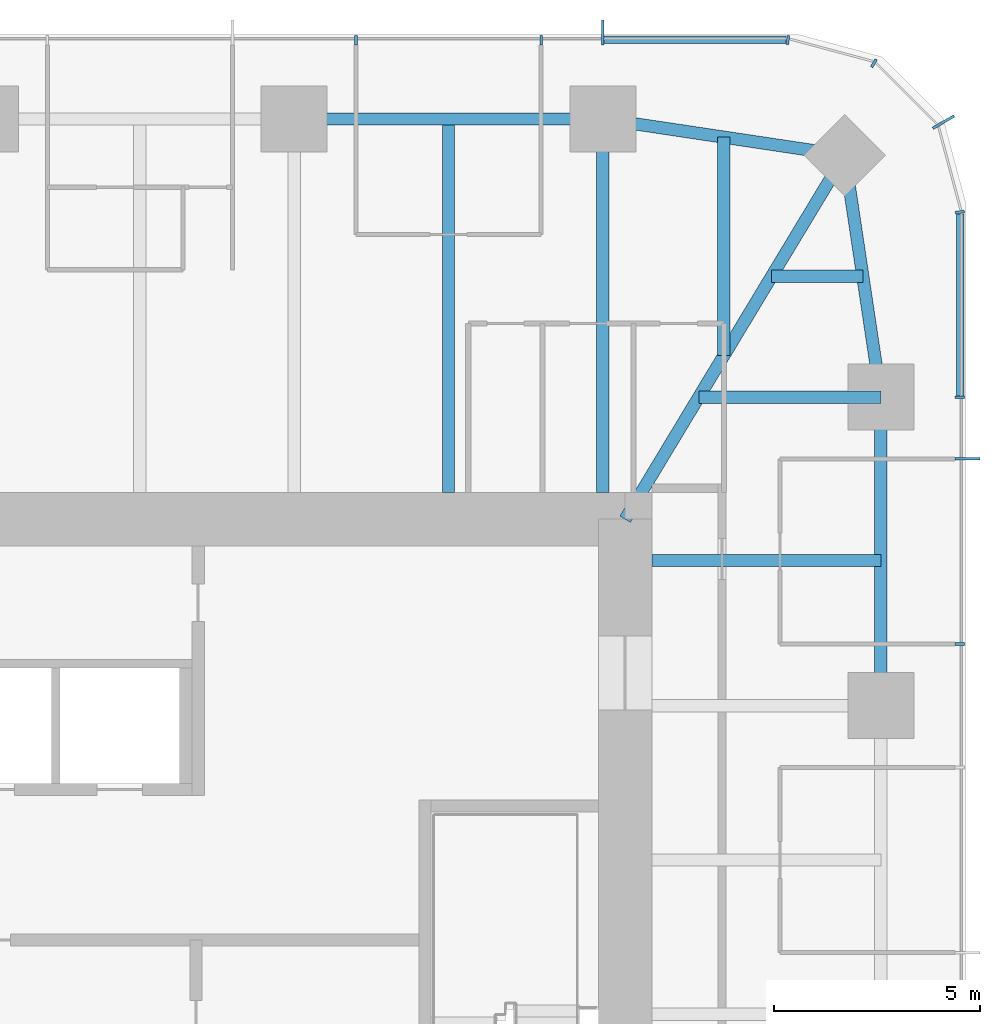
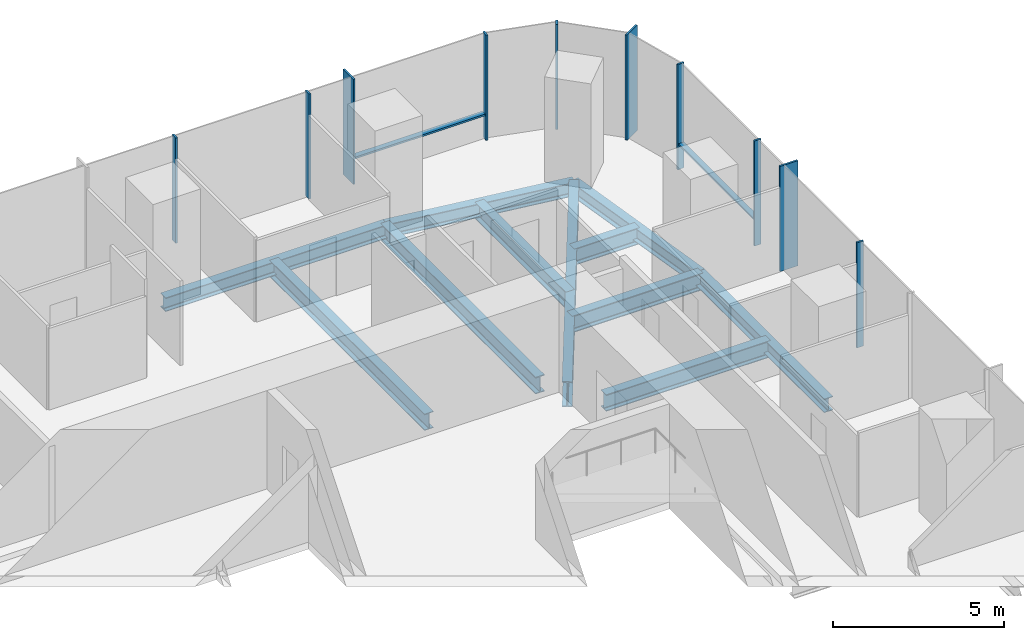
# One storey, part 6 of 12: 12 members, 11 beams, 3 elements without a shape of their own.
"""IFC4 building model written with IfcOpenShell, lengths in metres."""

from ifc_helpers import new_model, si_unit, direction, frame, origin, origin_2d, place, context, subcontext, project, spatial, rectangle, i_section, extrude, material, material_profile, profile_set, type_object, element, aggregate, save


model = new_model("IFC4")

# Units and contexts
model_context = context("Model", 3, precision=1e-05, world=origin(), true_north=direction((0.0, 1.0)))
body_context = subcontext(model_context, "Body", "Model", "MODEL_VIEW")
ifc_project = project(units=[si_unit("LENGTHUNIT", "METRE"), si_unit("AREAUNIT", "SQUARE_METRE"), si_unit("VOLUMEUNIT", "CUBIC_METRE"), si_unit("PLANEANGLEUNIT", "RADIAN"), si_unit("MASSUNIT", "GRAM", prefix="KILO")], contexts=[model_context])

# Site, building, storey
site_placement = place(None, origin())
site = spatial("IfcSite", under=ifc_project, at=site_placement, CompositionType="ELEMENT")
building_placement = place(site_placement, origin())
building = spatial("IfcBuilding", under=site, at=building_placement, Name="Khuree Lantern Residences", CompositionType="ELEMENT")
storey_placement = place(building_placement, frame((0.0, 0.0, 300.75)))
storey = spatial("IfcBuildingStorey", under=building, at=storey_placement, Name="L75", CompositionType="ELEMENT", Elevation=300.75)

# Beams
ifc_material_1 = material(Name="Steel S355", Category="steel")
ifc_material_profile_1 = material_profile(ifc_material_1, i_section(OverallWidth=0.300048828125, OverallDepth=0.590087890625, WebThickness=0.012939453125, FlangeThickness=0.02490234375, FilletRadius=0.027099609375, at=origin_2d()), Name="HE 600 A")
ifc_profile_set_1 = profile_set([ifc_material_profile_1], Name="Steel S355")
beam_type_1 = type_object("IfcBeamType", Name="B-42 SECONDARY BEAM HE 600 A", PredefinedType="BEAM", material=ifc_profile_set_1)
beam_1_placement = place(storey_placement, frame((11.219970703125, 21.699951171875, -0.544921875), z_axis=(0.0, -1.0, 0.0), x_axis=(1.0, 0.0, 0.0)))
element("IfcBeam", 1, at=beam_1_placement, inside=storey, type_object=beam_type_1, Name="Secondary beam N4", PredefinedType="BEAM", context=body_context, shape_type="SweptSolid", body=[
    extrude(i_section(OverallWidth=0.300048828125, OverallDepth=0.590087890625, WebThickness=0.012939453125, FlangeThickness=0.02490234375, FilletRadius=0.027099609375, at=origin_2d()), origin(), (0.0, 0.0, 1.0), 9.050048828125),
])
beam_2_placement = place(storey_placement, frame((17.890625, 21.2607421875, -0.544921875), z_axis=(0.0, -1.0, 0.0), x_axis=(1.0, 0.0, 0.0)))
element("IfcBeam", 2, at=beam_2_placement, inside=storey, type_object=beam_type_1, Name="Secondary beam N5", PredefinedType="BEAM", context=body_context, shape_type="SweptSolid", body=[
    extrude(i_section(OverallWidth=0.300048828125, OverallDepth=0.590087890625, WebThickness=0.012939453125, FlangeThickness=0.02490234375, FilletRadius=0.027099609375, at=origin_2d()), origin(), (0.0, 0.0, 1.0), 5.297607421875),
])
beam_3_placement = place(storey_placement, frame((21.2607421875, 17.890625, -0.544921875), z_axis=(-1.0, 0.0, 0.0), x_axis=(0.0, -1.0, 0.0)))
element("IfcBeam", 3, at=beam_3_placement, inside=storey, type_object=beam_type_1, Name="Secondary beam E1", PredefinedType="BEAM", context=body_context, shape_type="SweptSolid", body=[
    extrude(i_section(OverallWidth=0.300048828125, OverallDepth=0.590087890625, WebThickness=0.012939453125, FlangeThickness=0.02490234375, FilletRadius=0.027099609375, at=origin_2d()), origin(), (0.0, 0.0, 1.0), 2.207275390625),
])
beam_4_placement = place(storey_placement, frame((21.699951171875, 11.0, -0.544921875), z_axis=(-1.0, 0.0, 0.0), x_axis=(0.0, -1.0, 0.0)))
element("IfcBeam", 4, at=beam_4_placement, inside=storey, type_object=beam_type_1, Name="Secondary beam E2", PredefinedType="BEAM", context=body_context, shape_type="SweptSolid", body=[
    extrude(i_section(OverallWidth=0.300048828125, OverallDepth=0.590087890625, WebThickness=0.012939453125, FlangeThickness=0.02490234375, FilletRadius=0.027099609375, at=origin_2d()), origin(), (0.0, 0.0, 1.0), 5.550048828125),
])
ifc_material_profile_2 = material_profile(ifc_material_1, i_section(OverallWidth=0.300048828125, OverallDepth=0.489990234375, WebThickness=0.011962890625, FlangeThickness=0.02294921875, FilletRadius=0.027099609375, at=origin_2d()), Name="HE 500 A")
ifc_profile_set_2 = profile_set([ifc_material_profile_2], Name="Steel S355")
beam_type_2 = type_object("IfcBeamType", Name="E-42 SPANDREL BEAM HE 500 A", PredefinedType="SPANDREL", material=ifc_profile_set_2)
beam_5_placement = place(storey_placement, frame((7.47998046875, 21.699951171875, -0.4951171875), z_axis=(1.0, 0.0, 0.0), x_axis=(0.0, 1.0, 0.0)))
element("IfcBeam", 5, at=beam_5_placement, inside=storey, type_object=beam_type_2, Name="Spandrel beam N4", PredefinedType="SPANDREL", context=body_context, shape_type="SweptSolid", body=[
    extrude(i_section(OverallWidth=0.300048828125, OverallDepth=0.489990234375, WebThickness=0.011962890625, FlangeThickness=0.02294921875, FilletRadius=0.027099609375, at=origin_2d()), origin(), (0.0, 0.0, 1.0), 7.47998046875),
])
for number, where, z_axis, x_axis, name in (
    (6, (14.9599609375, 21.699951171875, -0.4951171875), (0.988949643299, -0.148251822985, 0.0), (0.148251822985, 0.988949643299, 0.0), "Spandrel beam N5"),
    (7, (20.8212890625, 20.8212890625, -0.4951171875), (0.148251822985, -0.988949643299, 0.0), (0.988949643299, 0.148251822985, 0.0), "Spandrel beam E1"),
):
    element("IfcBeam", number, at=place(storey_placement, frame(where, z_axis=z_axis, x_axis=x_axis)), inside=storey, type_object=beam_type_2, Name=name, PredefinedType="SPANDREL", context=body_context, shape_type="SweptSolid", body=[
        extrude(i_section(OverallWidth=0.300048828125, OverallDepth=0.489990234375, WebThickness=0.011962890625, FlangeThickness=0.02294921875, FilletRadius=0.027099609375, at=origin_2d()), origin(), (0.0, 0.0, 1.0), 5.9267578125),
    ])
beam_6_placement = place(storey_placement, frame((21.699951171875, 14.9599609375, -0.4951171875), z_axis=(0.0, -1.0, 0.0), x_axis=(1.0, 0.0, 0.0)))
element("IfcBeam", 8, at=beam_6_placement, inside=storey, type_object=beam_type_2, Name="Spandrel beam E2", PredefinedType="SPANDREL", context=body_context, shape_type="SweptSolid", body=[
    extrude(i_section(OverallWidth=0.300048828125, OverallDepth=0.489990234375, WebThickness=0.011962890625, FlangeThickness=0.02294921875, FilletRadius=0.027099609375, at=origin_2d()), origin(), (0.0, 0.0, 1.0), 7.47998046875),
])

# Curtain wall, member
ifc_material_2 = material(Name="Bronze anodised aluminium", Category="aluminium")
curtain_wall_type_1 = type_object("IfcCurtainWallType", Name="CW-T1 TOWER FACE CURTAIN WALL", PredefinedType="USERDEFINED", material=ifc_material_2)
curtain_wall_1_placement = place(storey_placement, origin())
curtain_wall_1 = element("IfcCurtainWall", 9, at=curtain_wall_1_placement, inside=storey, type_object=curtain_wall_type_1, Name="L75 EAST FACE CURTAIN WALL", ObjectType="Stick-built curtain wall", PredefinedType="USERDEFINED")
ifc_material_profile_3 = material_profile(ifc_material_2, rectangle(XDim=0.06494140625, YDim=0.60009765625, at=origin_2d()), Name="F1 65X600")
ifc_profile_set_3 = profile_set([ifc_material_profile_3], Name="Bronze anodised aluminium")
member_type_1 = type_object("IfcMemberType", Name="F1 BRONZE FIN MULLION TOWER 65X600", PredefinedType="MULLION", material=ifc_profile_set_3)
member_1_placement = place(storey_placement, frame((23.800048828125, 13.464111328125, 0.0), z_axis=(0.0, 0.0, 1.0), x_axis=(0.0, 1.0, 0.0)))
member_1 = element("IfcMember", 10, at=member_1_placement, type_object=member_type_1, Name="L75 EAST FACE FIN MULLION 13", PredefinedType="MULLION", context=body_context, shape_type="SweptSolid", body=[
    extrude(rectangle(XDim=0.06494140625, YDim=0.60009765625, at=origin_2d()), origin(), (0.0, 0.0, 1.0), 3.75),
])

curtain_wall_type_2 = type_object("IfcCurtainWallType", Name="CW-T2 TOWER CORNER CURTAIN WALL", PredefinedType="USERDEFINED", material=ifc_material_2)
curtain_wall_2_placement = place(storey_placement, origin())
curtain_wall_2 = element("IfcCurtainWall", 11, at=curtain_wall_2_placement, inside=storey, type_object=curtain_wall_type_2, Name="L75 NORTH-EAST CORNER CURTAIN WALL", ObjectType="Faceted corner curtain wall", PredefinedType="USERDEFINED")
member_2_placement = place(storey_placement, frame((23.21728515625, 21.625, 0.0), z_axis=(0.0, 0.0, 1.0), x_axis=(-0.49999994149, 0.866025437565, 0.0)))
member_2 = element("IfcMember", 12, at=member_2_placement, type_object=member_type_1, Name="L75 NORTH-EAST CORNER FIN MULLION 16", PredefinedType="MULLION", context=body_context, shape_type="SweptSolid", body=[
    extrude(rectangle(XDim=0.06494140625, YDim=0.60009765625, at=origin_2d()), origin(), (0.0, 0.0, 1.0), 3.75),
])

curtain_wall_3_placement = place(storey_placement, origin())
curtain_wall_3 = element("IfcCurtainWall", 13, at=curtain_wall_3_placement, inside=storey, type_object=curtain_wall_type_1, Name="L75 NORTH FACE CURTAIN WALL", ObjectType="Stick-built curtain wall", PredefinedType="USERDEFINED")
member_3_placement = place(storey_placement, frame((14.9599609375, 23.800048828125, 0.0), z_axis=(0.0, 0.0, 1.0), x_axis=(-1.0, 0.0, 0.0)))
member_3 = element("IfcMember", 14, at=member_3_placement, type_object=member_type_1, Name="L75 NORTH FACE FIN MULLION 19", PredefinedType="MULLION", context=body_context, shape_type="SweptSolid", body=[
    extrude(rectangle(XDim=0.06494140625, YDim=0.60009765625, at=origin_2d()), origin(), (0.0, 0.0, 1.0), 3.75),
])

# Beams
ifc_material_profile_4 = material_profile(ifc_material_1, i_section(OverallWidth=0.300048828125, OverallDepth=0.60009765625, WebThickness=0.015380859375, FlangeThickness=0.030029296875, FilletRadius=0.027099609375, at=origin_2d()), Name="HE 600 B")
ifc_profile_set_4 = profile_set([ifc_material_profile_4], Name="Steel S355")
beam_type_3 = type_object("IfcBeamType", Name="G-42 GIRDER HE 600 B", PredefinedType="BEAM", material=ifc_profile_set_4)
beam_7_placement = place(storey_placement, frame((14.9599609375, 21.699951171875, -0.550048828125), z_axis=(0.0, -1.0, 0.0), x_axis=(1.0, 0.0, 0.0)))
element("IfcBeam", 15, at=beam_7_placement, inside=storey, type_object=beam_type_3, Name="Girder N5", PredefinedType="BEAM", context=body_context, shape_type="SweptSolid", body=[
    extrude(i_section(OverallWidth=0.300048828125, OverallDepth=0.60009765625, WebThickness=0.015380859375, FlangeThickness=0.030029296875, FilletRadius=0.027099609375, at=origin_2d()), origin(), (0.0, 0.0, 1.0), 9.050048828125),
])
beam_8_placement = place(storey_placement, frame((21.699951171875, 14.9599609375, -0.550048828125), z_axis=(-1.0, 0.0, 0.0), x_axis=(0.0, -1.0, 0.0)))
element("IfcBeam", 16, at=beam_8_placement, inside=storey, type_object=beam_type_3, Name="Girder E1", PredefinedType="BEAM", context=body_context, shape_type="SweptSolid", body=[
    extrude(i_section(OverallWidth=0.300048828125, OverallDepth=0.60009765625, WebThickness=0.015380859375, FlangeThickness=0.030029296875, FilletRadius=0.027099609375, at=origin_2d()), origin(), (0.0, 0.0, 1.0), 4.414306640625),
])
ifc_material_profile_5 = material_profile(ifc_material_1, i_section(OverallWidth=0.300048828125, OverallDepth=0.89990234375, WebThickness=0.0185546875, FlangeThickness=0.034912109375, FilletRadius=0.030029296875, at=origin_2d()), Name="HE 900 B")
ifc_profile_set_5 = profile_set([ifc_material_profile_5], Name="Steel S355")
beam_type_4 = type_object("IfcBeamType", Name="GD-42 CORNER GIRDER HE 900 B", PredefinedType="BEAM", material=ifc_profile_set_5)
beam_9_placement = place(storey_placement, frame((20.8212890625, 20.8212890625, -0.699951171875), z_axis=(-0.516529577604, -0.856269347495, 0.0), x_axis=(0.856269347495, -0.516529577604, 0.0)))
element("IfcBeam", 17, at=beam_9_placement, inside=storey, type_object=beam_type_4, Name="Corner girder NE", PredefinedType="BEAM", context=body_context, shape_type="SweptSolid", body=[
    extrude(i_section(OverallWidth=0.300048828125, OverallDepth=0.89990234375, WebThickness=0.0185546875, FlangeThickness=0.034912109375, FilletRadius=0.030029296875, at=origin_2d()), origin(), (0.0, 0.0, 1.0), 10.302001953125),
])

# Member
ifc_material_profile_6 = material_profile(ifc_material_2, rectangle(XDim=0.06494140625, YDim=0.219970703125, at=origin_2d()), Name="M1 65X220")
ifc_profile_set_6 = profile_set([ifc_material_profile_6], Name="Bronze anodised aluminium")
member_type_2 = type_object("IfcMemberType", Name="M1 BRONZE MULLION TOWER 65X220", PredefinedType="MULLION", material=ifc_profile_set_6)
member_4_placement = place(storey_placement, frame((23.610107421875, 8.97607421875, 0.0), z_axis=(0.0, 0.0, 1.0), x_axis=(0.0, 1.0, 0.0)))
member_4 = element("IfcMember", 18, at=member_4_placement, type_object=member_type_2, Name="L75 EAST FACE MULLION 12", PredefinedType="MULLION", context=body_context, shape_type="SweptSolid", body=[
    extrude(rectangle(XDim=0.06494140625, YDim=0.219970703125, at=origin_2d()), origin(), (0.0, 0.0, 1.0), 3.75),
])

member_5_placement = place(storey_placement, frame((23.610107421875, 14.9599609375, 0.0), z_axis=(0.0, 0.0, 1.0), x_axis=(0.0, 1.0, 0.0)))
member_5 = element("IfcMember", 19, at=member_5_placement, type_object=member_type_2, Name="L75 EAST FACE MULLION 14", PredefinedType="MULLION", context=body_context, shape_type="SweptSolid", body=[
    extrude(rectangle(XDim=0.06494140625, YDim=0.219970703125, at=origin_2d()), origin(), (0.0, 0.0, 1.0), 3.75),
])

member_6_placement = place(storey_placement, frame((23.61181640625, 19.445068359375, 0.0), z_axis=(0.0, 0.0, 1.0), x_axis=(-0.130526125236, 0.991444870192, 0.0)))
member_6 = element("IfcMember", 20, at=member_6_placement, type_object=member_type_2, Name="L75 NORTH-EAST CORNER MULLION 15", PredefinedType="MULLION", context=body_context, shape_type="SweptSolid", body=[
    extrude(rectangle(XDim=0.06494140625, YDim=0.219970703125, at=origin_2d()), origin(), (0.0, 0.0, 1.0), 3.75),
])

member_7_placement = place(storey_placement, frame((21.530029296875, 23.052734375, 0.0), z_axis=(0.0, 0.0, 1.0), x_axis=(-0.866025437565, 0.49999994149, 0.0)))
member_7 = element("IfcMember", 21, at=member_7_placement, type_object=member_type_2, Name="L75 NORTH-EAST CORNER MULLION 17", PredefinedType="MULLION", context=body_context, shape_type="SweptSolid", body=[
    extrude(rectangle(XDim=0.06494140625, YDim=0.219970703125, at=origin_2d()), origin(), (0.0, 0.0, 1.0), 3.75),
])

aggregate(curtain_wall_2, [member_6, member_2, member_7])

member_8_placement = place(storey_placement, frame((19.445068359375, 23.61181640625, 0.0), z_axis=(0.0, 0.0, 1.0), x_axis=(-0.991444870192, 0.130526125236, 0.0)))
member_8 = element("IfcMember", 22, at=member_8_placement, type_object=member_type_2, Name="L75 NORTH FACE MULLION 18", PredefinedType="MULLION", context=body_context, shape_type="SweptSolid", body=[
    extrude(rectangle(XDim=0.06494140625, YDim=0.219970703125, at=origin_2d()), origin(), (0.0, 0.0, 1.0), 3.75),
])

member_9_placement = place(storey_placement, frame((13.464111328125, 23.610107421875, 0.0), z_axis=(0.0, 0.0, 1.0), x_axis=(-1.0, 0.0, 0.0)))
member_9 = element("IfcMember", 23, at=member_9_placement, type_object=member_type_2, Name="L75 NORTH FACE MULLION 20", PredefinedType="MULLION", context=body_context, shape_type="SweptSolid", body=[
    extrude(rectangle(XDim=0.06494140625, YDim=0.219970703125, at=origin_2d()), origin(), (0.0, 0.0, 1.0), 3.75),
])

member_10_placement = place(storey_placement, frame((8.97607421875, 23.610107421875, 0.0), z_axis=(0.0, 0.0, 1.0), x_axis=(-1.0, 0.0, 0.0)))
member_10 = element("IfcMember", 24, at=member_10_placement, type_object=member_type_2, Name="L75 NORTH FACE MULLION 21", PredefinedType="MULLION", context=body_context, shape_type="SweptSolid", body=[
    extrude(rectangle(XDim=0.06494140625, YDim=0.219970703125, at=origin_2d()), origin(), (0.0, 0.0, 1.0), 3.75),
])

ifc_material_profile_7 = material_profile(ifc_material_2, rectangle(XDim=0.179931640625, YDim=0.06494140625, at=origin_2d()), Name="T1 180X65")
ifc_profile_set_7 = profile_set([ifc_material_profile_7], Name="Bronze anodised aluminium")
member_type_3 = type_object("IfcMemberType", Name="TRANSOM T1 TOWER 180X65", PredefinedType="USERDEFINED", material=ifc_profile_set_7)
member_11_placement = place(storey_placement, frame((23.6201171875, 14.992431640625, 0.89990234375), z_axis=(0.0, 1.0, 0.0), x_axis=(-1.0, 0.0, 0.0)))
member_11 = element("IfcMember", 25, at=member_11_placement, type_object=member_type_3, Name="L75 EAST FACE TRANSOM 14.1", ObjectType="Transom", PredefinedType="USERDEFINED", context=body_context, shape_type="SweptSolid", body=[
    extrude(rectangle(XDim=0.179931640625, YDim=0.06494140625, at=origin_2d()), origin(), (0.0, 0.0, 1.0), 4.408935546875),
])

aggregate(curtain_wall_1, [member_4, member_1, member_5, member_11])

member_12_placement = place(storey_placement, frame((19.4013671875, 23.6201171875, 0.89990234375), z_axis=(-1.0, 0.0, 0.0), x_axis=(0.0, -1.0, 0.0)))
member_12 = element("IfcMember", 26, at=member_12_placement, type_object=member_type_3, Name="L75 NORTH FACE TRANSOM 18.1", ObjectType="Transom", PredefinedType="USERDEFINED", context=body_context, shape_type="SweptSolid", body=[
    extrude(rectangle(XDim=0.179931640625, YDim=0.06494140625, at=origin_2d()), origin(), (0.0, 0.0, 1.0), 4.408935546875),
])

aggregate(curtain_wall_3, [member_8, member_3, member_9, member_10, member_12])

save(model, "model.ifc")
